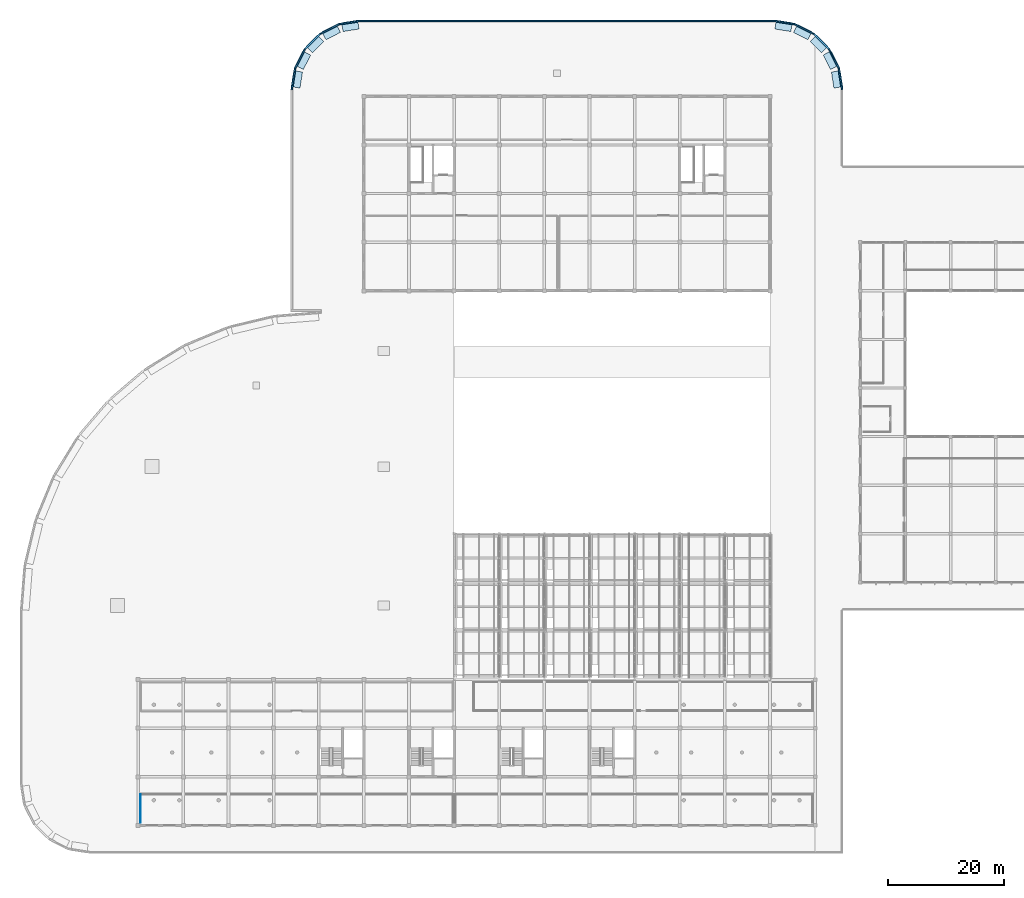
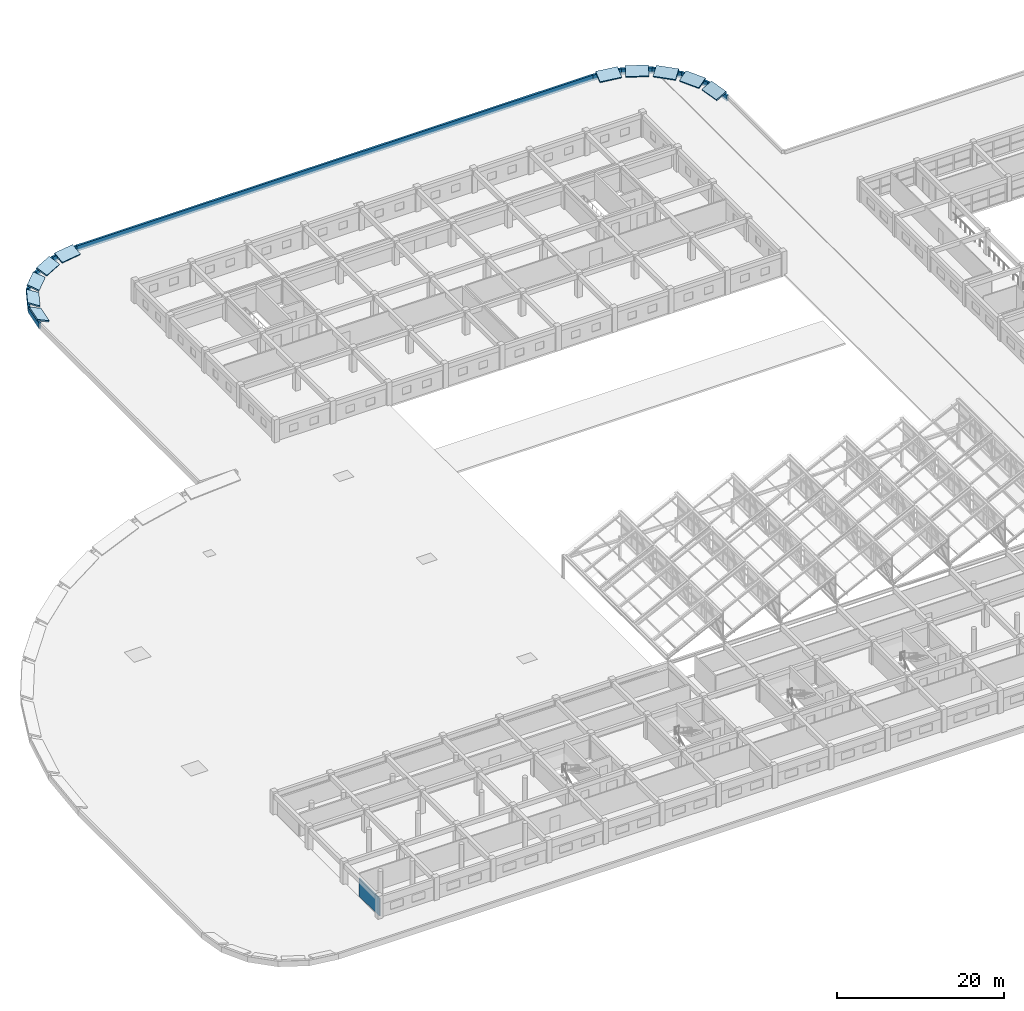
# One storey, part 88 of 101: 11 plates, 10 slabs, 1 wall.
"""IFC4 building model written with IfcOpenShell, lengths in metres."""

from ifc_helpers import new_model, si_unit, direction, frame, frame_2d, origin, place, context, subcontext, project, spatial, polyline, rectangle, outline, extrude, material, layer, layer_set, type_object, element, save


model = new_model("IFC4")

# Units and contexts
model_context = context("Model", 3, precision=1e-05, world=origin(), true_north=direction((0.0, 1.0)))
body_context = subcontext(model_context, "Body", "Model", "MODEL_VIEW")
ifc_project = project(units=[si_unit("LENGTHUNIT", "METRE"), si_unit("AREAUNIT", "SQUARE_METRE"), si_unit("VOLUMEUNIT", "CUBIC_METRE"), si_unit("PLANEANGLEUNIT", "RADIAN"), si_unit("MASSUNIT", "GRAM", prefix="KILO")], contexts=[model_context])

# Site, building, storey
site_placement = place(None, origin())
site = spatial("IfcSite", under=ifc_project, at=site_placement, CompositionType="ELEMENT")
building_placement = place(site_placement, origin())
building = spatial("IfcBuilding", under=site, at=building_placement, Name="Zizhar Promenade General Hospital", CompositionType="ELEMENT")
storey_placement = place(building_placement, frame((0.0, 0.0, 14.39990234375)))
storey = spatial("IfcBuildingStorey", under=building, at=storey_placement, Name="L03", CompositionType="ELEMENT", Elevation=14.39990234375)

# Plates
ifc_material_1 = material(Name="Precast concrete C40/50", Category="concrete")
ifc_layer_1 = layer(ifc_material_1, 0.260009765625)
ifc_layer_set_1 = layer_set([ifc_layer_1], Name="Precast concrete C40/50")
plate_type = type_object("IfcPlateType", Name="PL-PC-BAND950", PredefinedType="USERDEFINED", material=ifc_layer_set_1)
plate_1_placement = place(storey_placement, frame((0.0, 0.0, -0.0498046875)))
element("IfcPlate", 1, at=plate_1_placement, inside=storey, type_object=plate_type, Name="Three-Arm Base Roof Upturned Edge Fascia 22", ObjectType="FASCIA_BAND", PredefinedType="USERDEFINED", context=body_context, shape_type="SweptSolid", body=[
    extrude(outline(polyline([(137.39990234375, 127.199951171875), (136.812744140625, 130.908203125), (136.5361328125, 130.864501953125), (137.123291015625, 127.15625), (137.39990234375, 127.199951171875)])), origin(), (0.0, 0.0, 1.0), 0.7998046875),
])
plate_2_placement = place(storey_placement, frame((0.0, 0.0, -0.0498046875)))
element("IfcPlate", 2, at=plate_2_placement, inside=storey, type_object=plate_type, Name="Three-Arm Base Roof Upturned Edge Fascia 23", ObjectType="FASCIA_BAND", PredefinedType="USERDEFINED", context=body_context, shape_type="SweptSolid", body=[
    extrude(outline(polyline([(136.812744140625, 130.908203125), (135.108154296875, 134.25341796875), (134.858642578125, 134.126220703125), (136.563232421875, 130.781005859375), (136.812744140625, 130.908203125)])), origin(), (0.0, 0.0, 1.0), 0.7998046875),
])
plate_3_placement = place(storey_placement, frame((0.0, 0.0, -0.0498046875)))
element("IfcPlate", 3, at=plate_3_placement, inside=storey, type_object=plate_type, Name="Three-Arm Base Roof Upturned Edge Fascia 24", ObjectType="FASCIA_BAND", PredefinedType="USERDEFINED", context=body_context, shape_type="SweptSolid", body=[
    extrude(outline(polyline([(135.108154296875, 134.25341796875), (132.453369140625, 136.908203125), (132.25537109375, 136.710205078125), (134.91015625, 134.055419921875), (135.108154296875, 134.25341796875)])), origin(), (0.0, 0.0, 1.0), 0.7998046875),
])
plate_4_placement = place(storey_placement, frame((0.0, 0.0, -0.0498046875)))
element("IfcPlate", 4, at=plate_4_placement, inside=storey, type_object=plate_type, Name="Three-Arm Base Roof Upturned Edge Fascia 25", ObjectType="FASCIA_BAND", PredefinedType="USERDEFINED", context=body_context, shape_type="SweptSolid", body=[
    extrude(outline(polyline([(132.453369140625, 136.908203125), (129.108154296875, 138.61279296875), (128.981201171875, 138.36328125), (132.326416015625, 136.65869140625), (132.453369140625, 136.908203125)])), origin(), (0.0, 0.0, 1.0), 0.7998046875),
])
plate_5_placement = place(storey_placement, frame((0.0, 0.0, -0.0498046875)))
element("IfcPlate", 5, at=plate_5_placement, inside=storey, type_object=plate_type, Name="Three-Arm Base Roof Upturned Edge Fascia 26", ObjectType="FASCIA_BAND", PredefinedType="USERDEFINED", context=body_context, shape_type="SweptSolid", body=[
    extrude(outline(polyline([(129.108154296875, 138.61279296875), (125.39990234375, 139.199951171875), (125.356201171875, 138.92333984375), (129.064453125, 138.336181640625), (129.108154296875, 138.61279296875)])), origin(), (0.0, 0.0, 1.0), 0.7998046875),
])
plate_6_placement = place(storey_placement, frame((0.0, 0.0, -0.0498046875)))
element("IfcPlate", 6, at=plate_6_placement, inside=storey, type_object=plate_type, Name="Three-Arm Base Roof Upturned Edge Fascia 27", ObjectType="FASCIA_BAND", PredefinedType="USERDEFINED", context=body_context, shape_type="SweptSolid", body=[
    extrude(outline(polyline([(125.39990234375, 139.199951171875), (54.0, 139.199951171875), (54.0, 138.919921875), (125.39990234375, 138.919921875), (125.39990234375, 139.199951171875)])), origin(), (0.0, 0.0, 1.0), 0.7998046875),
])
plate_7_placement = place(storey_placement, frame((0.0, 0.0, -0.0498046875)))
element("IfcPlate", 7, at=plate_7_placement, inside=storey, type_object=plate_type, Name="Three-Arm Base Roof Upturned Edge Fascia 28", ObjectType="FASCIA_BAND", PredefinedType="USERDEFINED", context=body_context, shape_type="SweptSolid", body=[
    extrude(outline(polyline([(54.0, 139.199951171875), (50.291748046875, 138.61279296875), (50.335693359375, 138.336181640625), (54.043701171875, 138.92333984375), (54.0, 139.199951171875)])), origin(), (0.0, 0.0, 1.0), 0.7998046875),
])
plate_8_placement = place(storey_placement, frame((0.0, 0.0, -0.0498046875)))
element("IfcPlate", 8, at=plate_8_placement, inside=storey, type_object=plate_type, Name="Three-Arm Base Roof Upturned Edge Fascia 29", ObjectType="FASCIA_BAND", PredefinedType="USERDEFINED", context=body_context, shape_type="SweptSolid", body=[
    extrude(outline(polyline([(50.291748046875, 138.61279296875), (46.946533203125, 136.908203125), (47.07373046875, 136.65869140625), (50.4189453125, 138.36328125), (50.291748046875, 138.61279296875)])), origin(), (0.0, 0.0, 1.0), 0.7998046875),
])
plate_9_placement = place(storey_placement, frame((0.0, 0.0, -0.0498046875)))
element("IfcPlate", 9, at=plate_9_placement, inside=storey, type_object=plate_type, Name="Three-Arm Base Roof Upturned Edge Fascia 30", ObjectType="FASCIA_BAND", PredefinedType="USERDEFINED", context=body_context, shape_type="SweptSolid", body=[
    extrude(outline(polyline([(46.946533203125, 136.908203125), (44.291748046875, 134.25341796875), (44.48974609375, 134.055419921875), (47.14453125, 136.710205078125), (46.946533203125, 136.908203125)])), origin(), (0.0, 0.0, 1.0), 0.7998046875),
])
plate_10_placement = place(storey_placement, frame((0.0, 0.0, -0.0498046875)))
element("IfcPlate", 10, at=plate_10_placement, inside=storey, type_object=plate_type, Name="Three-Arm Base Roof Upturned Edge Fascia 31", ObjectType="FASCIA_BAND", PredefinedType="USERDEFINED", context=body_context, shape_type="SweptSolid", body=[
    extrude(outline(polyline([(44.291748046875, 134.25341796875), (42.58740234375, 130.908203125), (42.8369140625, 130.781005859375), (44.541259765625, 134.126220703125), (44.291748046875, 134.25341796875)])), origin(), (0.0, 0.0, 1.0), 0.7998046875),
])
plate_11_placement = place(storey_placement, frame((0.0, 0.0, -0.0498046875)))
element("IfcPlate", 11, at=plate_11_placement, inside=storey, type_object=plate_type, Name="Three-Arm Base Roof Upturned Edge Fascia 32", ObjectType="FASCIA_BAND", PredefinedType="USERDEFINED", context=body_context, shape_type="SweptSolid", body=[
    extrude(outline(polyline([(42.58740234375, 130.908203125), (42.0, 127.199951171875), (42.276611328125, 127.15625), (42.864013671875, 130.864501953125), (42.58740234375, 130.908203125)])), origin(), (0.0, 0.0, 1.0), 0.7998046875),
])

# Slabs
ifc_material_2 = material(Name="Concrete C35/45", Category="concrete")
ifc_layer_2 = layer(ifc_material_2, 0.199951171875)
ifc_layer_set_2 = layer_set([ifc_layer_2], Name="Concrete C35/45")
slab_type = type_object("IfcSlabType", Name="SLB-SAW-200", PredefinedType="ROOF", material=ifc_layer_set_2)
slab_1_placement = place(storey_placement, frame((137.324951171875, 127.674072265625, 1.02001953125), z_axis=(-0.350656970137, -0.055521979349, 0.934856673027), x_axis=(-0.156388773261, 0.987695576379, 0.0)))
element("IfcSlab", 12, at=slab_1_placement, inside=storey, type_object=slab_type, Name="Three-Arm Base Curved Upturned Rim 22", PredefinedType="ROOF", context=body_context, shape_type="SweptSolid", body=[
    extrude(outline(polyline([(0.0, 0.0), (2.7943931628656333, 0.0), (2.79393637908702, 1.6050240209193527), (-0.00045678377861332886, 1.6050240209193527), (0.0, 0.0)])), origin(), (0.0, 0.0, -1.0), 0.199951171875),
])
slab_2_placement = place(storey_placement, frame((136.594970703125, 131.3359375, 1.02001953125), z_axis=(-0.316499615393, -0.161306500717, 0.934777089087), x_axis=(-0.454084118921, 0.890958816637, 0.0)))
element("IfcSlab", 13, at=slab_2_placement, inside=storey, type_object=slab_type, Name="Three-Arm Base Curved Upturned Rim 23", PredefinedType="ROOF", context=body_context, shape_type="SweptSolid", body=[
    extrude(outline(polyline([(0.0, 0.0), (2.794731010994919, 2.220446049250313e-16), (2.7946978467217702, 1.6040774994255564), (-3.3164273148700296e-05, 1.6040774994255562), (0.0, 0.0)])), origin(), (0.0, 0.0, -1.0), 0.199951171875),
])
slab_3_placement = place(storey_placement, frame((134.76904296875, 134.593017578125, 1.02001953125), z_axis=(-0.251031638476, -0.251031638476, 0.934861611667), x_axis=(-0.707106781187, 0.707106781187, 0.0)))
element("IfcSlab", 14, at=slab_3_placement, inside=storey, type_object=slab_type, Name="Three-Arm Base Curved Upturned Rim 24", PredefinedType="ROOF", context=body_context, shape_type="SweptSolid", body=[
    extrude(outline(polyline([(0.0, 0.0), (2.7945909604120684, 0.0), (2.7945909604120684, 1.6050828158917447), (0.0, 1.6050828158917447), (0.0, 0.0)])), origin(), (0.0, 0.0, -1.0), 0.199951171875),
])
slab_4_placement = place(storey_placement, frame((132.02587890625, 137.1259765625, 1.02001953125), z_axis=(-0.161306500717, -0.316499615393, 0.934777089087), x_axis=(-0.890958816637, 0.454084118921, 0.0)))
element("IfcSlab", 15, at=slab_4_placement, inside=storey, type_object=slab_type, Name="Three-Arm Base Curved Upturned Rim 25", PredefinedType="ROOF", context=body_context, shape_type="SweptSolid", body=[
    extrude(outline(polyline([(0.0, 0.0), (2.794731010994919, -2.220446049250313e-16), (2.7947641752680674, 1.6040774994255562), (3.3164273148700296e-05, 1.6040774994255562), (0.0, 0.0)])), origin(), (0.0, 0.0, -1.0), 0.199951171875),
])
slab_5_placement = place(storey_placement, frame((128.634033203125, 138.68798828125, 1.02001953125), z_axis=(-0.055521979349, -0.350656970137, 0.934856673027), x_axis=(-0.987695576379, 0.156388773261, 0.0)))
element("IfcSlab", 16, at=slab_5_placement, inside=storey, type_object=slab_type, Name="Three-Arm Base Curved Upturned Rim 26", PredefinedType="ROOF", context=body_context, shape_type="SweptSolid", body=[
    extrude(outline(polyline([(0.0, 0.0), (2.7943931628656333, 0.0), (2.7948499466442467, 1.6050240209193527), (0.00045678377861332886, 1.6050240209193527), (0.0, 0.0)])), origin(), (0.0, 0.0, -1.0), 0.199951171875),
])
slab_6_placement = place(storey_placement, frame((53.52587890625, 139.125, 1.02001953125), z_axis=(0.055524992359, -0.350660489453, 0.934855174003), x_axis=(-0.987693573996, -0.156401419051, -2.267738e-06)))
element("IfcSlab", 17, at=slab_6_placement, inside=storey, type_object=slab_type, Name="Three-Arm Base Curved Upturned Rim 28", PredefinedType="ROOF", context=body_context, shape_type="SweptSolid", body=[
    extrude(outline(polyline([(0.0, 0.0), (2.794152026502948, 5.551115123125783e-17), (2.7939568820586613, 1.604988329961019), (-0.00043628057075069355, 1.605024026609219), (0.0, 0.0)])), origin(), (0.0, 0.0, -1.0), 0.199951171875),
])
slab_7_placement = place(storey_placement, frame((49.864013671875, 138.39501953125, 1.02001953125), z_axis=(0.161306500717, -0.316499615393, 0.934777089087), x_axis=(-0.890958816637, -0.454084118921, 0.0)))
element("IfcSlab", 18, at=slab_7_placement, inside=storey, type_object=slab_type, Name="Three-Arm Base Curved Upturned Rim 29", PredefinedType="ROOF", context=body_context, shape_type="SweptSolid", body=[
    extrude(outline(polyline([(0.0, 0.0), (2.794731010994919, 2.220446049250313e-16), (2.7946978467217702, 1.6040774994255564), (-3.3164273148700296e-05, 1.6040774994255562), (0.0, 0.0)])), origin(), (0.0, 0.0, -1.0), 0.199951171875),
])
slab_8_placement = place(storey_placement, frame((46.60693359375, 136.569091796875, 1.02001953125), z_axis=(0.25105201411, -0.251036505584, 0.934854833156), x_axis=(-0.707065849511, -0.707147710419, -1.0252423e-05)))
element("IfcSlab", 19, at=slab_8_placement, inside=storey, type_object=slab_type, Name="Three-Arm Base Curved Upturned Rim 30", PredefinedType="ROOF", context=body_context, shape_type="SweptSolid", body=[
    extrude(outline(polyline([(0.0, 0.0), (2.794418332084996, 0.0), (2.7946836549634733, 1.6049214156985447), (9.269938006151427e-05, 1.6050828129223176), (0.0, 0.0)])), origin(), (0.0, 0.0, -1.0), 0.199951171875),
])
slab_9_placement = place(storey_placement, frame((44.073974609375, 133.825927734375, 1.02001953125), z_axis=(0.316485833844, -0.161283961311, 0.934785644306), x_axis=(-0.454079743959, -0.890961046263, 1.2922197e-05)))
element("IfcSlab", 20, at=slab_9_placement, inside=storey, type_object=slab_type, Name="Three-Arm Base Curved Upturned Rim 31", PredefinedType="ROOF", context=body_context, shape_type="SweptSolid", body=[
    extrude(outline(polyline([(0.0, 0.0), (2.79473101072789, 0.0), (2.7946533151544934, 1.604280832825453), (3.3163739093558505e-05, 1.6040774989603312), (0.0, 0.0)])), origin(), (0.0, 0.0, -1.0), 0.199951171875),
])
slab_10_placement = place(storey_placement, frame((42.511962890625, 130.43408203125, 1.02001953125), z_axis=(0.350656970137, -0.055521979349, 0.934856673027), x_axis=(-0.156388773261, -0.987695576379, 0.0)))
element("IfcSlab", 21, at=slab_10_placement, inside=storey, type_object=slab_type, Name="Three-Arm Base Curved Upturned Rim 32", PredefinedType="ROOF", context=body_context, shape_type="SweptSolid", body=[
    extrude(outline(polyline([(0.0, 0.0), (2.7943931628656333, 0.0), (2.7948499466442467, 1.6050240209193527), (0.00045678377861332886, 1.6050240209193527), (0.0, 0.0)])), origin(), (0.0, 0.0, -1.0), 0.199951171875),
])

# Wall
ifc_material_3 = material(Name="Acoustic patient bedroom partition")
ifc_layer_3 = layer(ifc_material_3, 0.155029296875)
ifc_layer_set_3 = layer_set([ifc_layer_3], Name="Acoustic patient bedroom partition")
wall_type = type_object("IfcWallType", Name="IW-WARD-155", PredefinedType="PARTITIONING", material=ifc_layer_set_3)
wall_placement = place(storey_placement, frame((16.0, 0.5, 0.0), z_axis=(0.0, 0.0, 1.0), x_axis=(0.0, 1.0, 0.0)))
element("IfcWall", 22, at=wall_placement, inside=storey, type_object=wall_type, Name="Ward Hygienic Air Handling Plant West W Partition", PredefinedType="PARTITIONING", context=body_context, shape_type="SweptSolid", body=[
    extrude(rectangle(XDim=4.89990234375, YDim=0.155029296875, at=frame_2d((2.449951171875, 0.0))), origin(), (0.0, 0.0, 1.0), 2.6201171875),
])

save(model, "model.ifc")
